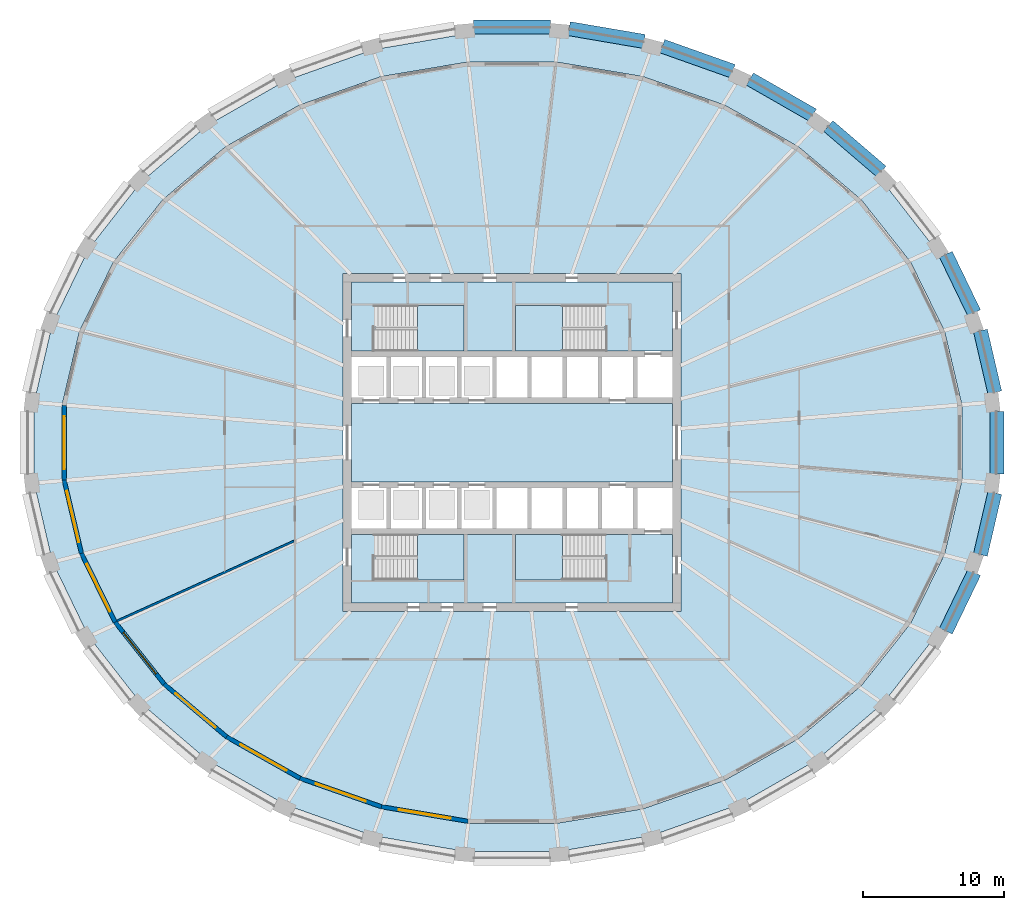
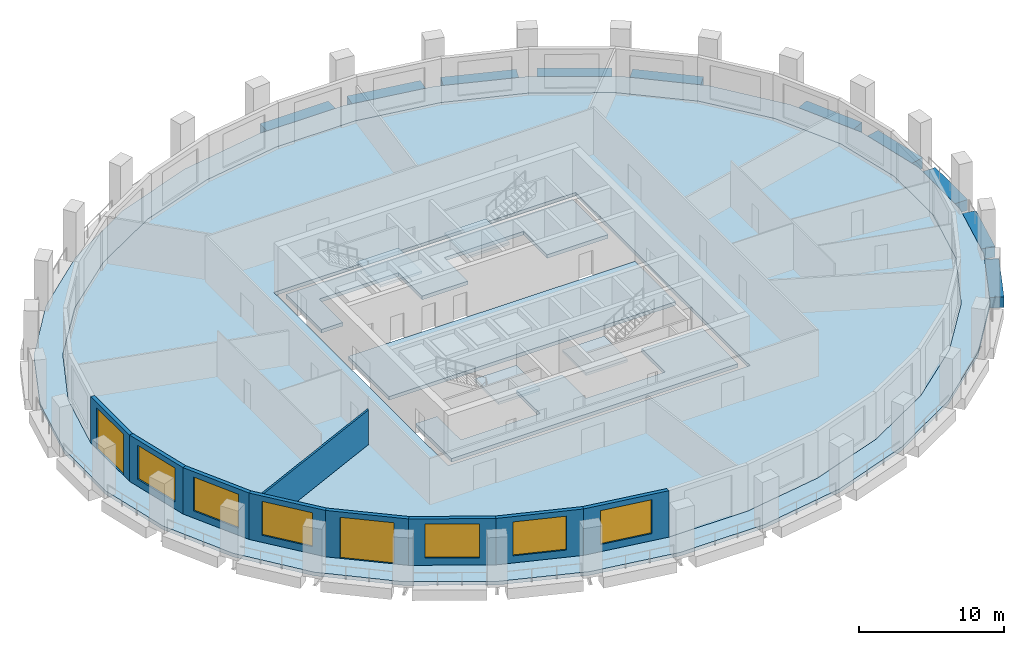
# One storey, part 2 of 10: 10 beams, 9 slabs, 9 walls, 6 windows, 2 doors, 8 openings, 4 elements without a shape of their own.
"""IFC4 building model written with IfcOpenShell, lengths in metres."""

from ifc_helpers import new_model, si_unit, direction, frame, frame_2d, origin, origin_2d, place, context, subcontext, project, spatial, polyline, rectangle, outline, extrude, material, layer, layer_set, material_profile, profile_set, type_object, element, fill, aggregate, save


model = new_model("IFC4")

# Units and contexts
model_context = context("Model", 3, precision=1e-05, world=origin(), true_north=direction((0.0, 1.0)))
body_context = subcontext(model_context, "Body", "Model", "MODEL_VIEW")
ifc_project = project(units=[si_unit("LENGTHUNIT", "METRE"), si_unit("AREAUNIT", "SQUARE_METRE"), si_unit("VOLUMEUNIT", "CUBIC_METRE"), si_unit("PLANEANGLEUNIT", "RADIAN"), si_unit("MASSUNIT", "GRAM", prefix="KILO")], contexts=[model_context])

# Site, building, storey
site_placement = place(None, origin())
site = spatial("IfcSite", under=ifc_project, at=site_placement, CompositionType="ELEMENT")
building_placement = place(site_placement, origin())
building = spatial("IfcBuilding", under=site, at=building_placement, Name="Halqa Exchange Tower", CompositionType="ELEMENT")
storey_placement = place(building_placement, frame((0.0, 0.0, 138.10009765625)))
storey = spatial("IfcBuildingStorey", under=building, at=storey_placement, Name="L31", CompositionType="ELEMENT", Elevation=138.10009765625)

# Beams
ifc_material_1 = material(Name="Concrete C60/75", Category="concrete")
ifc_material_profile = material_profile(ifc_material_1, rectangle(XDim=1.0, YDim=0.89990234375, at=origin_2d()), Name="1000 x 900")
ifc_profile_set = profile_set([ifc_material_profile], Name="Concrete C60/75")
beam_type = type_object("IfcBeamType", Name="RC spandrel beam 1000 x 900 C60/75", PredefinedType="SPANDREL", material=ifc_profile_set)
beam_1_placement = place(storey_placement, frame((34.285888671875, 3.565673828125, -0.4501953125), z_axis=(-0.226051594905, 0.974115330154, 0.0), x_axis=(-0.974115330154, -0.226051594905, 0.0)))
element("IfcBeam", 1, at=beam_1_placement, inside=storey, type_object=beam_type, Name="Spandrel 1", PredefinedType="SPANDREL", context=body_context, shape_type="SweptSolid", body=[
    extrude(rectangle(XDim=1.0, YDim=0.89990234375, at=origin_2d()), origin(), (0.0, 0.0, 1.0), 4.50146484375),
])
beam_2_placement = place(storey_placement, frame((32.821044921875, 9.218994140625, -0.4501953125), z_axis=(-0.435133641471, 0.900365877885, 0.0), x_axis=(-0.900365877885, -0.435133641471, 0.0)))
element("IfcBeam", 2, at=beam_2_placement, inside=storey, type_object=beam_type, Name="Spandrel 2", PredefinedType="SPANDREL", context=body_context, shape_type="SweptSolid", body=[
    extrude(rectangle(XDim=1.0, YDim=0.89990234375, at=origin_2d()), origin(), (0.0, 0.0, 1.0), 4.615478515625),
])
beam_3_placement = place(storey_placement, frame((26.237548828125, 19.256591796875, -0.4501953125), z_axis=(-0.759270476271, 0.650775186884, 0.0), x_axis=(-0.650775186884, -0.759270476271, 0.0)))
element("IfcBeam", 3, at=beam_3_placement, inside=storey, type_object=beam_type, Name="Spandrel 4", PredefinedType="SPANDREL", context=body_context, shape_type="SweptSolid", body=[
    extrude(rectangle(XDim=1.0, YDim=0.89990234375, at=origin_2d()), origin(), (0.0, 0.0, 1.0), 4.968505859375),
])
beam_4_placement = place(storey_placement, frame((21.36767578125, 23.26416015625, -0.4501953125), z_axis=(-0.867738128513, 0.497021669874, 0.0), x_axis=(-0.497021669874, -0.867738128513, 0.0)))
element("IfcBeam", 4, at=beam_4_placement, inside=storey, type_object=beam_type, Name="Spandrel 5", PredefinedType="SPANDREL", context=body_context, shape_type="SweptSolid", body=[
    extrude(rectangle(XDim=1.0, YDim=0.89990234375, at=origin_2d()), origin(), (0.0, 0.0, 1.0), 5.1513671875),
])
beam_5_placement = place(storey_placement, frame((15.6767578125, 26.385009765625, -0.4501953125), z_axis=(-0.9423560926, 0.334611707415, 0.0), x_axis=(-0.334611707415, -0.9423560926, 0.0)))
element("IfcBeam", 5, at=beam_5_placement, inside=storey, type_object=beam_type, Name="Spandrel 6", PredefinedType="SPANDREL", context=body_context, shape_type="SweptSolid", body=[
    extrude(rectangle(XDim=1.0, YDim=0.89990234375, at=origin_2d()), origin(), (0.0, 0.0, 1.0), 5.301513671875),
])
beam_6_placement = place(storey_placement, frame((9.38134765625, 28.497802734375, -0.4501953125), z_axis=(-0.985773716271, 0.168077899527, 0.0), x_axis=(-0.168077899527, -0.985773716271, 0.0)))
element("IfcBeam", 6, at=beam_6_placement, inside=storey, type_object=beam_type, Name="Spandrel 7", PredefinedType="SPANDREL", context=body_context, shape_type="SweptSolid", body=[
    extrude(rectangle(XDim=1.0, YDim=0.89990234375, at=origin_2d()), origin(), (0.0, 0.0, 1.0), 5.400634765625),
])
beam_7_placement = place(storey_placement, frame((2.716796875, 29.518798828125, -0.4501953125), z_axis=(-1.0, 0.0, 0.0), x_axis=(0.0, -1.0, 0.0)))
element("IfcBeam", 7, at=beam_7_placement, inside=storey, type_object=beam_type, Name="Spandrel 8", PredefinedType="SPANDREL", context=body_context, shape_type="SweptSolid", body=[
    extrude(rectangle(XDim=1.0, YDim=0.89990234375, at=origin_2d()), origin(), (0.0, 0.0, 1.0), 5.43359375),
])
beam_8_placement = place(storey_placement, frame((30.812744140625, -13.37451171875, -0.4501953125), z_axis=(0.435133641471, 0.900365877885, 0.0), x_axis=(-0.900365877885, 0.435133641471, 0.0)))
element("IfcBeam", 8, at=beam_8_placement, inside=storey, type_object=beam_type, Name="Spandrel 30", PredefinedType="SPANDREL", context=body_context, shape_type="SweptSolid", body=[
    extrude(rectangle(XDim=1.0, YDim=0.89990234375, at=origin_2d()), origin(), (0.0, 0.0, 1.0), 4.615478515625),
])
beam_9_placement = place(storey_placement, frame((33.268310546875, -7.95068359375, -0.4501953125), z_axis=(0.226051594905, 0.974115330154, 0.0), x_axis=(-0.974115330154, 0.226051594905, 0.0)))
element("IfcBeam", 9, at=beam_9_placement, inside=storey, type_object=beam_type, Name="Spandrel 31", PredefinedType="SPANDREL", context=body_context, shape_type="SweptSolid", body=[
    extrude(rectangle(XDim=1.0, YDim=0.89990234375, at=origin_2d()), origin(), (0.0, 0.0, 1.0), 4.50146484375),
])
beam_10_placement = place(storey_placement, frame((34.438720703125, -2.2314453125, -0.4501953125), z_axis=(0.0, 1.0, 0.0), x_axis=(-1.0, 0.0, 0.0)))
element("IfcBeam", 10, at=beam_10_placement, inside=storey, type_object=beam_type, Name="Spandrel 32", PredefinedType="SPANDREL", context=body_context, shape_type="SweptSolid", body=[
    extrude(rectangle(XDim=1.0, YDim=0.89990234375, at=origin_2d()), origin(), (0.0, 0.0, 1.0), 4.462890625),
])

# Slabs
ifc_layer_1 = layer(ifc_material_1, 0.300048828125)
ifc_layer_set_1 = layer_set([ifc_layer_1], Name="Concrete C60/75")
slab_type_1 = type_object("IfcSlabType", Name="Core floor slab 300", PredefinedType="FLOOR", material=ifc_layer_set_1)
slab_1_placement = place(storey_placement, frame((0.0, 0.0, -0.300048828125)))
element("IfcSlab", 11, at=slab_1_placement, inside=storey, type_object=slab_type_1, Name="Core floor slab", PredefinedType="FLOOR", context=body_context, shape_type="SweptSolid", body=[
    extrude(outline(polyline([(-11.39990234375, 2.800048828125), (11.39990234375, 2.800048828125), (11.39990234375, -2.800048828125), (-11.39990234375, -2.800048828125), (-11.39990234375, 2.800048828125)])), origin(), (0.0, 0.0, 1.0), 0.300048828125),
])
slab_2_placement = place(storey_placement, frame((0.0, 0.0, -0.300048828125)))
element("IfcSlab", 12, at=slab_2_placement, inside=storey, type_object=slab_type_1, Name="Core floor slab", PredefinedType="FLOOR", context=body_context, shape_type="SweptSolid", body=[
    extrude(outline(polyline([(-11.39990234375, 11.39990234375), (11.39990234375, 11.39990234375), (11.39990234375, 6.5), (6.550048828125, 6.5), (6.550048828125, 9.75), (0.25, 9.75), (0.25, 6.5), (-3.39990234375, 6.5), (-3.39990234375, 9.75), (-9.699951171875, 9.75), (-9.699951171875, 6.5), (-11.39990234375, 6.5), (-11.39990234375, 11.39990234375)])), origin(), (0.0, 0.0, 1.0), 0.300048828125),
])
slab_3_placement = place(storey_placement, frame((0.0, 0.0, -0.300048828125)))
element("IfcSlab", 13, at=slab_3_placement, inside=storey, type_object=slab_type_1, Name="Core floor slab", PredefinedType="FLOOR", context=body_context, shape_type="SweptSolid", body=[
    extrude(outline(polyline([(-9.699951171875, -9.75), (-3.39990234375, -9.75), (-3.39990234375, -6.5), (0.25, -6.5), (0.25, -9.75), (6.550048828125, -9.75), (6.550048828125, -6.5), (11.39990234375, -6.5), (11.39990234375, -11.39990234375), (-11.39990234375, -11.39990234375), (-11.39990234375, -6.5), (-9.699951171875, -6.5), (-9.699951171875, -9.75)])), origin(), (0.0, 0.0, 1.0), 0.300048828125),
])
ifc_material_2 = material(Name="Concrete C40/50", Category="concrete")
ifc_layer_2 = layer(ifc_material_2, 0.300048828125)
ifc_layer_set_2 = layer_set([ifc_layer_2], Name="Concrete C40/50")
slab_type_2 = type_object("IfcSlabType", Name="RC floor slab 300", PredefinedType="FLOOR", material=ifc_layer_set_2)
slab_4_placement = place(storey_placement, frame((0.0, 0.0, -0.300048828125)))
element("IfcSlab", 14, at=slab_4_placement, inside=storey, type_object=slab_type_2, Name="Floor slab", PredefinedType="FLOOR", context=body_context, shape_type="SweptSolid", body=[
    extrude(outline(polyline([(31.9521484375, 2.667724609375), (30.72021484375, 7.899169921875), (28.304931640625, 12.823486328125), (24.802490234375, 17.250732421875), (20.34912109375, 21.01171875), (15.1171875, 23.96435546875), (9.3076171875, 25.99658203125), (3.142578125, 27.032470703125), (-3.142578125, 27.032470703125), (-9.3076171875, 25.99658203125), (-15.1171875, 23.96435546875), (-20.34912109375, 21.01171875), (-24.802490234375, 17.250732421875), (-28.304931640625, 12.823486328125), (-30.72021484375, 7.899169921875), (-31.9521484375, 2.667724609375), (-31.9521484375, -2.667724609375), (-30.72021484375, -7.899169921875), (-28.304931640625, -12.823486328125), (-24.802490234375, -17.250732421875), (-20.34912109375, -21.01171875), (-15.1171875, -23.96435546875), (-9.3076171875, -25.99658203125), (-3.142578125, -27.032470703125), (3.142578125, -27.032470703125), (9.3076171875, -25.99658203125), (15.1171875, -23.96435546875), (20.34912109375, -21.01171875), (24.802490234375, -17.250732421875), (28.304931640625, -12.823486328125), (30.72021484375, -7.899169921875), (31.9521484375, -2.667724609375), (31.9521484375, 2.667724609375)]), holes=[polyline([(-12.0, -12.0), (12.0, -12.0), (12.0, 12.0), (-12.0, 12.0), (-12.0, -12.0)])]), origin(), (0.0, 0.0, 1.0), 0.300048828125),
])
ifc_layer_3 = layer(ifc_material_2, 0.300048828125)
ifc_layer_set_3 = layer_set([ifc_layer_3], Name="Concrete C40/50")
slab_type_3 = type_object("IfcSlabType", Name="RC loggia slab 300", PredefinedType="FLOOR", material=ifc_layer_set_3)
slab_5_placement = place(storey_placement, frame((0.0, 0.0, -0.300048828125)))
element("IfcSlab", 15, at=slab_5_placement, inside=storey, type_object=slab_type_3, Name="Loggia slab", PredefinedType="FLOOR", context=body_context, shape_type="SweptSolid", body=[
    extrude(outline(polyline([(33.938720703125, 2.85009765625), (33.938720703125, -2.85009765625), (32.640625, -8.44287109375), (30.092041015625, -13.717041015625), (26.38671875, -18.47021484375), (21.663818359375, -22.518310546875), (16.103271484375, -25.703125), (9.918701171875, -27.89892578125), (3.349609375, -29.018798828125), (-3.349609375, -29.018798828125), (-9.918701171875, -27.89892578125), (-16.103271484375, -25.703125), (-21.663818359375, -22.518310546875), (-26.38671875, -18.47021484375), (-30.092041015625, -13.717041015625), (-32.640625, -8.44287109375), (-33.938720703125, -2.85009765625), (-33.938720703125, 2.85009765625), (-32.640625, 8.44287109375), (-30.092041015625, 13.717041015625), (-26.38671875, 18.47021484375), (-21.663818359375, 22.518310546875), (-16.103271484375, 25.703125), (-9.918701171875, 27.89892578125), (-3.349609375, 29.018798828125), (3.349609375, 29.018798828125), (9.918701171875, 27.89892578125), (16.103271484375, 25.703125), (21.663818359375, 22.518310546875), (26.38671875, 18.47021484375), (30.092041015625, 13.717041015625), (32.640625, 8.44287109375), (33.938720703125, 2.85009765625)]), holes=[polyline([(31.9521484375, 2.667724609375), (30.72021484375, 7.899169921875), (28.304931640625, 12.823486328125), (24.802490234375, 17.250732421875), (20.34912109375, 21.01171875), (15.1171875, 23.96435546875), (9.3076171875, 25.99658203125), (3.142578125, 27.032470703125), (-3.142578125, 27.032470703125), (-9.3076171875, 25.99658203125), (-15.1171875, 23.96435546875), (-20.34912109375, 21.01171875), (-24.802490234375, 17.250732421875), (-28.304931640625, 12.823486328125), (-30.72021484375, 7.899169921875), (-31.9521484375, 2.667724609375), (-31.9521484375, -2.667724609375), (-30.72021484375, -7.899169921875), (-28.304931640625, -12.823486328125), (-24.802490234375, -17.250732421875), (-20.34912109375, -21.01171875), (-15.1171875, -23.96435546875), (-9.3076171875, -25.99658203125), (-3.142578125, -27.032470703125), (3.142578125, -27.032470703125), (9.3076171875, -25.99658203125), (15.1171875, -23.96435546875), (20.34912109375, -21.01171875), (24.802490234375, -17.250732421875), (28.304931640625, -12.823486328125), (30.72021484375, -7.899169921875), (31.9521484375, -2.667724609375), (31.9521484375, 2.667724609375)])]), origin(), (0.0, 0.0, 1.0), 0.300048828125),
])

# Stair, slab
ifc_material_3 = material(Name="Concrete C30/37", Category="concrete")
stair_type = type_object("IfcStairType", Name="Exit stair 1500 wide", PredefinedType="HALF_TURN_STAIR", material=ifc_material_3)
stair_1_placement = place(storey_placement, origin())
stair_1 = element("IfcStair", 16, at=stair_1_placement, inside=storey, type_object=stair_type, Name="Exit stair ST1", PredefinedType="HALF_TURN_STAIR")
ifc_layer_4 = layer(ifc_material_3, 0.199951171875)
ifc_layer_set_4 = layer_set([ifc_layer_4], Name="Concrete C30/37")
slab_type_4 = type_object("IfcSlabType", Name="Stair landing 200 slab", PredefinedType="LANDING", material=ifc_layer_set_4)
slab_6_placement = place(storey_placement, frame((0.0, 0.0, 1.89990234375)))
slab_6 = element("IfcSlab", 17, at=slab_6_placement, type_object=slab_type_4, Name="ST1 landing 1", PredefinedType="LANDING", context=body_context, shape_type="SweptSolid", body=[
    extrude(outline(polyline([(-6.719970703125, 6.5), (-3.39990234375, 6.5), (-3.39990234375, 9.75), (-6.719970703125, 9.75), (-6.719970703125, 6.5)])), origin(), (0.0, 0.0, 1.0), 0.199951171875),
])
aggregate(stair_1, [slab_6])

stair_2_placement = place(storey_placement, origin())
stair_2 = element("IfcStair", 18, at=stair_2_placement, inside=storey, type_object=stair_type, Name="Exit stair ST2", PredefinedType="HALF_TURN_STAIR")
slab_7_placement = place(storey_placement, frame((0.0, 0.0, 1.89990234375)))
slab_7 = element("IfcSlab", 19, at=slab_7_placement, type_object=slab_type_4, Name="ST2 landing 1", PredefinedType="LANDING", context=body_context, shape_type="SweptSolid", body=[
    extrude(outline(polyline([(0.25, 6.5), (3.570068359375, 6.5), (3.570068359375, 9.75), (0.25, 9.75), (0.25, 6.5)])), origin(), (0.0, 0.0, 1.0), 0.199951171875),
])
aggregate(stair_2, [slab_7])

stair_3_placement = place(storey_placement, origin())
stair_3 = element("IfcStair", 20, at=stair_3_placement, inside=storey, type_object=stair_type, Name="Exit stair ST3", PredefinedType="HALF_TURN_STAIR")
slab_8_placement = place(storey_placement, frame((0.0, 0.0, 1.89990234375)))
slab_8 = element("IfcSlab", 21, at=slab_8_placement, type_object=slab_type_4, Name="ST3 landing 1", PredefinedType="LANDING", context=body_context, shape_type="SweptSolid", body=[
    extrude(outline(polyline([(-6.719970703125, -9.75), (-3.39990234375, -9.75), (-3.39990234375, -6.5), (-6.719970703125, -6.5), (-6.719970703125, -9.75)])), origin(), (0.0, 0.0, 1.0), 0.199951171875),
])
aggregate(stair_3, [slab_8])

stair_4_placement = place(storey_placement, origin())
stair_4 = element("IfcStair", 22, at=stair_4_placement, inside=storey, type_object=stair_type, Name="Exit stair ST4", PredefinedType="HALF_TURN_STAIR")
slab_9_placement = place(storey_placement, frame((0.0, 0.0, 1.89990234375)))
slab_9 = element("IfcSlab", 23, at=slab_9_placement, type_object=slab_type_4, Name="ST4 landing 1", PredefinedType="LANDING", context=body_context, shape_type="SweptSolid", body=[
    extrude(outline(polyline([(0.25, -9.75), (3.570068359375, -9.75), (3.570068359375, -6.5), (0.25, -6.5), (0.25, -9.75)])), origin(), (0.0, 0.0, 1.0), 0.199951171875),
])
aggregate(stair_4, [slab_9])

# Wall
ifc_material_4 = material(Name="Fire-rated gypsum board")
ifc_layer_5 = layer(ifc_material_4, 0.14990234375)
ifc_layer_set_5 = layer_set([ifc_layer_5], Name="Fire-rated gypsum board")
wall_type_1 = type_object("IfcWallType", Name="Fire partition EI 60 150", PredefinedType="PARTITIONING", material=ifc_layer_set_5)
wall_1_placement = place(storey_placement, frame((-28.051513671875, -12.664306640625, 0.0), z_axis=(0.0, 0.0, 1.0), x_axis=(0.911350334726, 0.411631591833, 0.0)))
element("IfcWall", 24, at=wall_1_placement, inside=storey, type_object=wall_type_1, Name="L31-PWL-002", PredefinedType="PARTITIONING", context=body_context, shape_type="SweptSolid", body=[
    extrude(outline(polyline([(0.021240234375, -0.074951171875), (1.98486328125, -0.074951171875), (3.9482421875, -0.074951171875), (5.911865234375, -0.074951171875), (7.87548828125, -0.074951171875), (9.8388671875, -0.074951171875), (11.802490234375, -0.074951171875), (13.76611328125, -0.074951171875), (13.813720703125, 0.03076171875), (13.827392578125, 0.024658203125), (13.849609375, 0.07373046875), (13.849609375, 0.074951171875), (12.061279296875, 0.074951171875), (10.27294921875, 0.074951171875), (8.484619140625, 0.074951171875), (8.48388671875, 0.073486328125), (8.48095703125, 0.074951171875), (6.78466796875, 0.074951171875), (5.088623046875, 0.074951171875), (3.392333984375, 0.074951171875), (1.6962890625, 0.074951171875), (0.0, 0.074951171875), (0.0, 0.07421875), (0.002197265625, 0.0009765625), (0.021240234375, -0.074951171875)])), origin(), (0.0, 0.0, 1.0), 2.909912109375),
])

# Wall, opening, door
ifc_material_5 = material(Name="Limestone cladding", Category="masonry")
ifc_layer_6 = layer(ifc_material_5, 0.0400390625)
ifc_material_6 = material(Name="Ventilated cavity")
ifc_layer_7 = layer(ifc_material_6, 0.030029296875, ventilated=True)
ifc_material_7 = material(Name="Mineral wool insulation")
ifc_layer_8 = layer(ifc_material_7, 0.10009765625)
ifc_layer_9 = layer(ifc_material_3, 0.10009765625)
ifc_material_8 = material(Name="Internal plaster")
ifc_layer_10 = layer(ifc_material_8, 0.030029296875)
ifc_layer_set_6 = layer_set([ifc_layer_6, ifc_layer_7, ifc_layer_8, ifc_layer_9, ifc_layer_10], Name="Stone-faced insulated wall 300")
wall_type_2 = type_object("IfcWallType", Name="Stone-faced insulated wall 300", PredefinedType="STANDARD", material=ifc_layer_set_6)
wall_2_placement = place(storey_placement, frame((-31.802001953125, 2.650390625, 0.0), z_axis=(0.0, 0.0, 1.0), x_axis=(0.0, -1.0, 0.0)))
wall_2 = element("IfcWall", 25, at=wall_2_placement, inside=storey, type_object=wall_type_2, Name="Glass-line wall 16", PredefinedType="STANDARD", context=body_context, shape_type="SweptSolid", body=[
    extrude(outline(polyline([(-0.017333984375, -0.14990234375), (5.318115234375, -0.14990234375), (5.283447265625, 0.14990234375), (0.017333984375, 0.14990234375), (-0.017333984375, -0.14990234375)])), origin(), (0.0, 0.0, 1.0), 3.89990234375),
])
opening_1_placement = place(wall_2_placement, frame((0.775390625, 0.0, 0.0)))
opening_1 = element("IfcOpeningElement", 26, at=opening_1_placement, cuts=wall_2, Name="Opening LG-F2-04", PredefinedType="OPENING", context=body_context, shape_type="SweptSolid", body=[
    extrude(rectangle(XDim=3.75, YDim=3.449951171875, at=frame_2d((1.875, 1.72509765625))), frame((0.0, 0.162109375, 0.0), z_axis=(0.0, -1.0, 0.0), x_axis=(1.0, 0.0, 0.0)), (0.0, 0.0, 1.0), 0.323974609375),
])
ifc_material_9 = material(Name="Clear low-emissivity glass in aluminium frame", Category="aluminium")
door_type = type_object("IfcDoorType", Name="Glazed sliding loggia door 3750 x 3450", OperationType="DOUBLE_DOOR_SLIDING", PredefinedType="DOOR", material=ifc_material_9)
door_1_placement = place(opening_1_placement, origin())
door_1 = element("IfcDoor", 27, at=door_1_placement, inside=storey, type_object=door_type, Name="Loggia door 4", OperationType="DOUBLE_DOOR_SLIDING", OverallHeight=3.449951171875, OverallWidth=3.75, PredefinedType="DOOR", context=body_context, shape_type="SweptSolid", body=[
    extrude(rectangle(XDim=3.75, YDim=3.449951171875, at=frame_2d((1.875, 1.72509765625))), frame((0.0, 0.02490234375, 0.0), z_axis=(0.0, -1.0, 0.0), x_axis=(1.0, 0.0, 0.0)), (0.0, 0.0, 1.0), 0.050048828125),
])
fill(opening_1, door_1)

# Wall, opening, window
wall_3_placement = place(storey_placement, frame((-31.802001953125, -2.650390625, 0.0), z_axis=(0.0, 0.0, 1.0), x_axis=(0.229227895667, -0.973372781543, 0.0)))
wall_3 = element("IfcWall", 28, at=wall_3_placement, inside=storey, type_object=wall_type_2, Name="Glass-line wall 17", PredefinedType="STANDARD", context=body_context, shape_type="SweptSolid", body=[
    extrude(outline(polyline([(-0.017333984375, -0.14990234375), (5.35693359375, -0.14990234375), (5.3232421875, 0.14990234375), (0.017333984375, 0.14990234375), (-0.017333984375, -0.14990234375)])), origin(), (0.0, 0.0, 1.0), 3.89990234375),
])
opening_2_placement = place(wall_3_placement, frame((0.795166015625, 0.0, 0.60009765625)))
opening_2 = element("IfcOpeningElement", 29, at=opening_2_placement, cuts=wall_3, Name="Opening W-F2-17", PredefinedType="OPENING", context=body_context, shape_type="SweptSolid", body=[
    extrude(rectangle(XDim=3.75, YDim=2.85009765625, at=frame_2d((1.875, 1.425048828125))), frame((0.0, 0.162109375, 0.0), z_axis=(0.0, -1.0, 0.0), x_axis=(1.0, 0.0, 0.0)), (0.0, 0.0, 1.0), 0.323974609375),
])
window_type = type_object("IfcWindowType", Name="Fixed clear glazed window 3750 x 2850", PartitioningType="TRIPLE_PANEL_VERTICAL", PredefinedType="WINDOW", material=ifc_material_9)
window_1_placement = place(opening_2_placement, origin())
window_1 = element("IfcWindow", 30, at=window_1_placement, inside=storey, type_object=window_type, Name="Window 2", OverallHeight=2.85009765625, OverallWidth=3.75, PartitioningType="TRIPLE_PANEL_VERTICAL", PredefinedType="WINDOW", context=body_context, shape_type="SweptSolid", body=[
    extrude(rectangle(XDim=3.75, YDim=2.85009765625, at=frame_2d((1.875, 1.425048828125))), frame((0.0, 0.030029296875, 0.0), z_axis=(0.0, -1.0, 0.0), x_axis=(1.0, 0.0, 0.0)), (0.0, 0.0, 1.0), 0.06005859375),
])
fill(opening_2, window_1)

wall_4_placement = place(storey_placement, frame((-30.577880859375, -7.848388671875, 0.0), z_axis=(0.0, 0.0, 1.0), x_axis=(0.440321465864, -0.897840189956, 0.0)))
wall_4 = element("IfcWall", 31, at=wall_4_placement, inside=storey, type_object=wall_type_2, Name="Glass-line wall 18", PredefinedType="STANDARD", context=body_context, shape_type="SweptSolid", body=[
    extrude(outline(polyline([(-0.016845703125, -0.14990234375), (5.467529296875, -0.14990234375), (5.435302734375, 0.14990234375), (0.016845703125, 0.14990234375), (-0.016845703125, -0.14990234375)])), origin(), (0.0, 0.0, 1.0), 3.89990234375),
])
opening_3_placement = place(wall_4_placement, frame((0.850830078125, 0.0, 0.60009765625)))
opening_3 = element("IfcOpeningElement", 32, at=opening_3_placement, cuts=wall_4, Name="Opening W-F2-18", PredefinedType="OPENING", context=body_context, shape_type="SweptSolid", body=[
    extrude(rectangle(XDim=3.75, YDim=2.85009765625, at=frame_2d((1.875, 1.425048828125))), frame((0.0, 0.162109375, 0.0), z_axis=(0.0, -1.0, 0.0), x_axis=(1.0, 0.0, 0.0)), (0.0, 0.0, 1.0), 0.323974609375),
])
window_2_placement = place(opening_3_placement, origin())
window_2 = element("IfcWindow", 33, at=window_2_placement, inside=storey, type_object=window_type, Name="Window 2", OverallHeight=2.85009765625, OverallWidth=3.75, PartitioningType="TRIPLE_PANEL_VERTICAL", PredefinedType="WINDOW", context=body_context, shape_type="SweptSolid", body=[
    extrude(rectangle(XDim=3.75, YDim=2.85009765625, at=frame_2d((1.875, 1.425048828125))), frame((0.0, 0.030029296875, 0.0), z_axis=(0.0, -1.0, 0.0), x_axis=(1.0, 0.0, 0.0)), (0.0, 0.0, 1.0), 0.06005859375),
])
fill(opening_3, window_2)

wall_5_placement = place(storey_placement, frame((-28.177490234375, -12.742919921875, 0.0), z_axis=(0.0, 0.0, 1.0), x_axis=(0.620464552431, -0.784234492468, 0.0)))
wall_5 = element("IfcWall", 34, at=wall_5_placement, inside=storey, type_object=wall_type_2, Name="Glass-line wall 19", PredefinedType="STANDARD", context=body_context, shape_type="SweptSolid", body=[
    extrude(outline(polyline([(-0.01611328125, -0.14990234375), (5.62939453125, -0.14990234375), (5.59912109375, 0.14990234375), (0.01611328125, 0.14990234375), (-0.01611328125, -0.14990234375)])), origin(), (0.0, 0.0, 1.0), 3.89990234375),
])
opening_4_placement = place(wall_5_placement, frame((0.931884765625, 0.0, 0.60009765625)))
opening_4 = element("IfcOpeningElement", 35, at=opening_4_placement, cuts=wall_5, Name="Opening W-F2-19", PredefinedType="OPENING", context=body_context, shape_type="SweptSolid", body=[
    extrude(rectangle(XDim=3.75, YDim=2.85009765625, at=frame_2d((1.875, 1.425048828125))), frame((0.0, 0.162109375, 0.0), z_axis=(0.0, -1.0, 0.0), x_axis=(1.0, 0.0, 0.0)), (0.0, 0.0, 1.0), 0.323974609375),
])
window_3_placement = place(opening_4_placement, origin())
window_3 = element("IfcWindow", 36, at=window_3_placement, inside=storey, type_object=window_type, Name="Window 2", OverallHeight=2.85009765625, OverallWidth=3.75, PartitioningType="TRIPLE_PANEL_VERTICAL", PredefinedType="WINDOW", context=body_context, shape_type="SweptSolid", body=[
    extrude(rectangle(XDim=3.75, YDim=2.85009765625, at=frame_2d((1.875, 1.425048828125))), frame((0.0, 0.030029296875, 0.0), z_axis=(0.0, -1.0, 0.0), x_axis=(1.0, 0.0, 0.0)), (0.0, 0.0, 1.0), 0.06005859375),
])
fill(opening_4, window_3)

# Wall, opening, door
wall_6_placement = place(storey_placement, frame((-24.694091796875, -17.145751953125, 0.0), z_axis=(0.0, 0.0, 1.0), x_axis=(0.763963973896, -0.645258898884, 0.0)))
wall_6 = element("IfcWall", 37, at=wall_6_placement, inside=storey, type_object=wall_type_2, Name="Glass-line wall 20", PredefinedType="STANDARD", context=body_context, shape_type="SweptSolid", body=[
    extrude(outline(polyline([(-0.01513671875, -0.14990234375), (5.81396484375, -0.14990234375), (5.78564453125, 0.14990234375), (0.01513671875, 0.14990234375), (-0.01513671875, -0.14990234375)])), origin(), (0.0, 0.0, 1.0), 3.89990234375),
])
opening_5_placement = place(wall_6_placement, frame((1.02490234375, 0.0, 0.0)))
opening_5 = element("IfcOpeningElement", 38, at=opening_5_placement, cuts=wall_6, Name="Opening LG-F2-05", PredefinedType="OPENING", context=body_context, shape_type="SweptSolid", body=[
    extrude(rectangle(XDim=3.75, YDim=3.449951171875, at=frame_2d((1.875, 1.72509765625))), frame((0.0, 0.162109375, 0.0), z_axis=(0.0, -1.0, 0.0), x_axis=(1.0, 0.0, 0.0)), (0.0, 0.0, 1.0), 0.323974609375),
])
door_2_placement = place(opening_5_placement, origin())
door_2 = element("IfcDoor", 39, at=door_2_placement, inside=storey, type_object=door_type, Name="Loggia door 5", OperationType="DOUBLE_DOOR_SLIDING", OverallHeight=3.449951171875, OverallWidth=3.75, PredefinedType="DOOR", context=body_context, shape_type="SweptSolid", body=[
    extrude(rectangle(XDim=3.75, YDim=3.449951171875, at=frame_2d((1.875, 1.72509765625))), frame((0.0, 0.02490234375, 0.0), z_axis=(0.0, -1.0, 0.0), x_axis=(1.0, 0.0, 0.0)), (0.0, 0.0, 1.0), 0.050048828125),
])
fill(opening_5, door_2)

# Wall, opening, window
wall_7_placement = place(storey_placement, frame((-20.26318359375, -20.88818359375, 0.0), z_axis=(0.0, 0.0, 1.0), x_axis=(0.87090857883, -0.491445060327, 0.0)))
wall_7 = element("IfcWall", 40, at=wall_7_placement, inside=storey, type_object=wall_type_2, Name="Glass-line wall 21", PredefinedType="STANDARD", context=body_context, shape_type="SweptSolid", body=[
    extrude(outline(polyline([(-0.01416015625, -0.14990234375), (5.99365234375, -0.14990234375), (5.966796875, 0.14990234375), (0.01416015625, 0.14990234375), (-0.01416015625, -0.14990234375)])), origin(), (0.0, 0.0, 1.0), 3.89990234375),
])
opening_6_placement = place(wall_7_placement, frame((1.114990234375, 0.0, 0.60009765625)))
opening_6 = element("IfcOpeningElement", 41, at=opening_6_placement, cuts=wall_7, Name="Opening W-F2-21", PredefinedType="OPENING", context=body_context, shape_type="SweptSolid", body=[
    extrude(rectangle(XDim=3.75, YDim=2.85009765625, at=frame_2d((1.875, 1.425048828125))), frame((0.0, 0.162109375, 0.0), z_axis=(0.0, -1.0, 0.0), x_axis=(1.0, 0.0, 0.0)), (0.0, 0.0, 1.0), 0.323974609375),
])
window_4_placement = place(opening_6_placement, origin())
window_4 = element("IfcWindow", 42, at=window_4_placement, inside=storey, type_object=window_type, Name="Window 2", OverallHeight=2.85009765625, OverallWidth=3.75, PartitioningType="TRIPLE_PANEL_VERTICAL", PredefinedType="WINDOW", context=body_context, shape_type="SweptSolid", body=[
    extrude(rectangle(XDim=3.75, YDim=2.85009765625, at=frame_2d((1.875, 1.425048828125))), frame((0.0, 0.030029296875, 0.0), z_axis=(0.0, -1.0, 0.0), x_axis=(1.0, 0.0, 0.0)), (0.0, 0.0, 1.0), 0.06005859375),
])
fill(opening_6, window_4)

wall_8_placement = place(storey_placement, frame((-15.054931640625, -23.8271484375, 0.0), z_axis=(0.0, 0.0, 1.0), x_axis=(0.943911133508, -0.330199594245, 0.0)))
wall_8 = element("IfcWall", 43, at=wall_8_placement, inside=storey, type_object=wall_type_2, Name="Glass-line wall 22", PredefinedType="STANDARD", context=body_context, shape_type="SweptSolid", body=[
    extrude(outline(polyline([(-0.013427734375, -0.14990234375), (6.141357421875, -0.14990234375), (6.115966796875, 0.14990234375), (0.013427734375, 0.14990234375), (-0.013427734375, -0.14990234375)])), origin(), (0.0, 0.0, 1.0), 3.89990234375),
])
opening_7_placement = place(wall_8_placement, frame((1.189208984375, 0.0, 0.60009765625)))
opening_7 = element("IfcOpeningElement", 44, at=opening_7_placement, cuts=wall_8, Name="Opening W-F2-22", PredefinedType="OPENING", context=body_context, shape_type="SweptSolid", body=[
    extrude(rectangle(XDim=3.75, YDim=2.85009765625, at=frame_2d((1.875, 1.425048828125))), frame((0.0, 0.162109375, 0.0), z_axis=(0.0, -1.0, 0.0), x_axis=(1.0, 0.0, 0.0)), (0.0, 0.0, 1.0), 0.323974609375),
])
window_5_placement = place(opening_7_placement, origin())
window_5 = element("IfcWindow", 45, at=window_5_placement, inside=storey, type_object=window_type, Name="Window 2", OverallHeight=2.85009765625, OverallWidth=3.75, PartitioningType="TRIPLE_PANEL_VERTICAL", PredefinedType="WINDOW", context=body_context, shape_type="SweptSolid", body=[
    extrude(rectangle(XDim=3.75, YDim=2.85009765625, at=frame_2d((1.875, 1.425048828125))), frame((0.0, 0.030029296875, 0.0), z_axis=(0.0, -1.0, 0.0), x_axis=(1.0, 0.0, 0.0)), (0.0, 0.0, 1.0), 0.06005859375),
])
fill(opening_7, window_5)

wall_9_placement = place(storey_placement, frame((-9.27001953125, -25.850830078125, 0.0), z_axis=(0.0, 0.0, 1.0), x_axis=(0.9861811474, -0.165670590368, 0.0)))
wall_9 = element("IfcWall", 46, at=wall_9_placement, inside=storey, type_object=wall_type_2, Name="Glass-line wall 23", PredefinedType="STANDARD", context=body_context, shape_type="SweptSolid", body=[
    extrude(outline(polyline([(-0.0126953125, -0.14990234375), (6.238525390625, -0.14990234375), (6.213623046875, 0.14990234375), (0.0126953125, 0.14990234375), (-0.0126953125, -0.14990234375)])), origin(), (0.0, 0.0, 1.0), 3.89990234375),
])
opening_8_placement = place(wall_9_placement, frame((1.238037109375, 0.0, 0.60009765625)))
opening_8 = element("IfcOpeningElement", 47, at=opening_8_placement, cuts=wall_9, Name="Opening W-F2-23", PredefinedType="OPENING", context=body_context, shape_type="SweptSolid", body=[
    extrude(rectangle(XDim=3.75, YDim=2.85009765625, at=frame_2d((1.875, 1.425048828125))), frame((0.0, 0.162109375, 0.0), z_axis=(0.0, -1.0, 0.0), x_axis=(1.0, 0.0, 0.0)), (0.0, 0.0, 1.0), 0.323974609375),
])
window_6_placement = place(opening_8_placement, origin())
window_6 = element("IfcWindow", 48, at=window_6_placement, inside=storey, type_object=window_type, Name="Window 2", OverallHeight=2.85009765625, OverallWidth=3.75, PartitioningType="TRIPLE_PANEL_VERTICAL", PredefinedType="WINDOW", context=body_context, shape_type="SweptSolid", body=[
    extrude(rectangle(XDim=3.75, YDim=2.85009765625, at=frame_2d((1.875, 1.425048828125))), frame((0.0, 0.030029296875, 0.0), z_axis=(0.0, -1.0, 0.0), x_axis=(1.0, 0.0, 0.0)), (0.0, 0.0, 1.0), 0.06005859375),
])
fill(opening_8, window_6)

save(model, "model.ifc")
